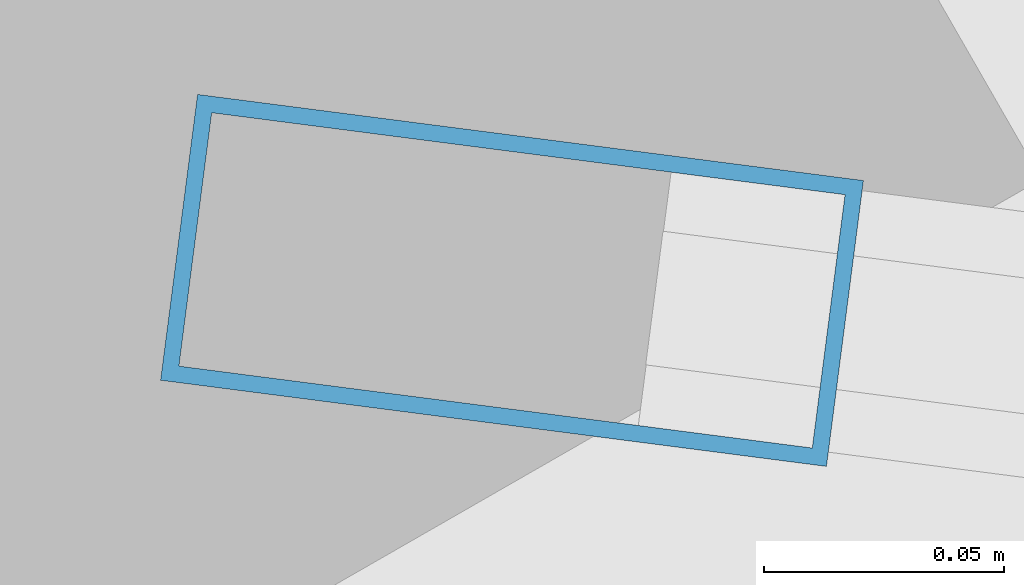
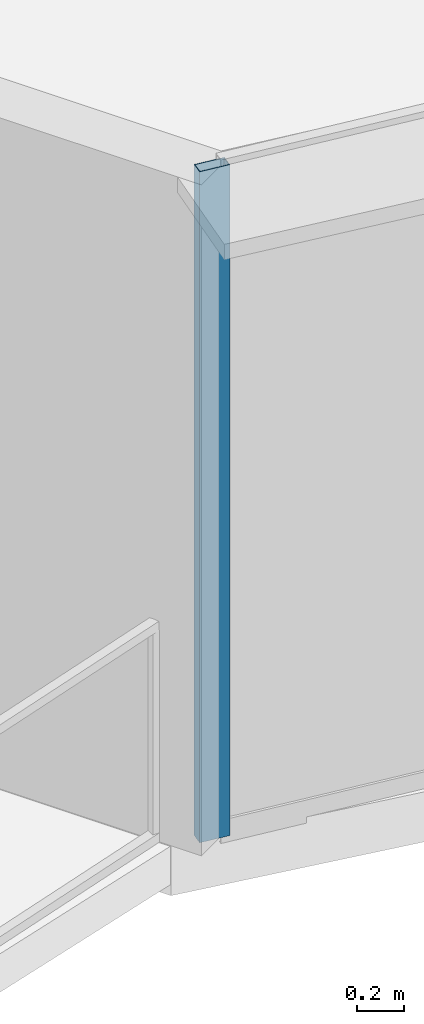
# One storey, part 2 of 34: 1 member, 1 element without a shape of its own.
"""IFC4 building model written with IfcOpenShell, lengths in metres."""

from ifc_helpers import new_model, si_unit, direction, frame, origin, origin_2d, place, context, subcontext, project, spatial, hollow_rectangle, extrude, source, transform, mapped, material, layer, layer_set, material_profile, profile_set, type_object, element, aggregate, save


model = new_model("IFC4")

# Units and contexts
model_context = context("Model", 3, precision=1e-05, world=origin(), true_north=direction((0.0, 1.0)))
body_context = subcontext(model_context, "Body", "Model", "MODEL_VIEW")
ifc_project = project(units=[si_unit("LENGTHUNIT", "METRE"), si_unit("AREAUNIT", "SQUARE_METRE"), si_unit("VOLUMEUNIT", "CUBIC_METRE"), si_unit("PLANEANGLEUNIT", "RADIAN"), si_unit("MASSUNIT", "GRAM", prefix="KILO"), si_unit("THERMODYNAMICTEMPERATUREUNIT", "KELVIN"), si_unit("POWERUNIT", "WATT")], contexts=[model_context])

# Site, building, storey
site_placement = place(None, origin())
site = spatial("IfcSite", under=ifc_project, at=site_placement, CompositionType="ELEMENT")
building_placement = place(site_placement, origin())
building = spatial("IfcBuilding", under=site, at=building_placement, Name="Yunzhuo Pagoda Commons", CompositionType="ELEMENT")
storey_placement = place(building_placement, frame((0.0, 0.0, 333.010009765625)))
storey = spatial("IfcBuildingStorey", under=building, at=storey_placement, Name="L83", CompositionType="ELEMENT", Elevation=333.010009765625)

# Curtain wall, member
ifc_material = material(Name="Anodized aluminium 6063-T6", Category="aluminium")
ifc_layer = layer(ifc_material, 0.139892578125)
ifc_layer_set = layer_set([ifc_layer], Name="Anodized aluminium 6063-T6")
curtain_wall_type = type_object("IfcCurtainWallType", Name="CW-HI High-Zone Ribbon Curtain Wall", PredefinedType="NOTDEFINED", material=ifc_layer_set)
curtain_wall_placement = place(storey_placement, origin())
curtain_wall = element("IfcCurtainWall", 1, at=curtain_wall_placement, inside=storey, type_object=curtain_wall_type, Name="L83 curtain wall CW-L83-F1B1", PredefinedType="NOTDEFINED")
ifc_material_profile = material_profile(ifc_material, hollow_rectangle(XDim=0.06005859375, YDim=0.139892578125, WallThickness=0.00341796875, at=origin_2d()), Name="Anodized aluminium 6063-T6")
ifc_profile_set = profile_set([ifc_material_profile], Name="Anodized aluminium 6063-T6")
member_type = type_object("IfcMemberType", Name="CW-HI-M Mullion RHS 140x60x3.5", PredefinedType="MULLION", material=ifc_profile_set)
shared_shape = source(origin(), body_context, "Body", "SweptSolid", [
    extrude(hollow_rectangle(XDim=0.06005859375, YDim=0.139892578125, WallThickness=0.00341796875, at=origin_2d()), origin(), (0.0, 0.0, 1.0), 3.489990234375),
])
member_placement = place(storey_placement, frame((22.2900390625, 23.134765625, 0.0), z_axis=(0.0, 0.0, 1.0), x_axis=(0.128276018031, 0.991738505453, 0.0)))
member = element("IfcMember", 2, at=member_placement, type_object=member_type, Name="CW mullion 1", PredefinedType="MULLION", context=body_context, shape_type="MappedRepresentation", body=[
    mapped(shared_shape, transform((0.0, 0.0, 0.0), scale=1.0)),
])
aggregate(curtain_wall, [member])

save(model, "model.ifc")
